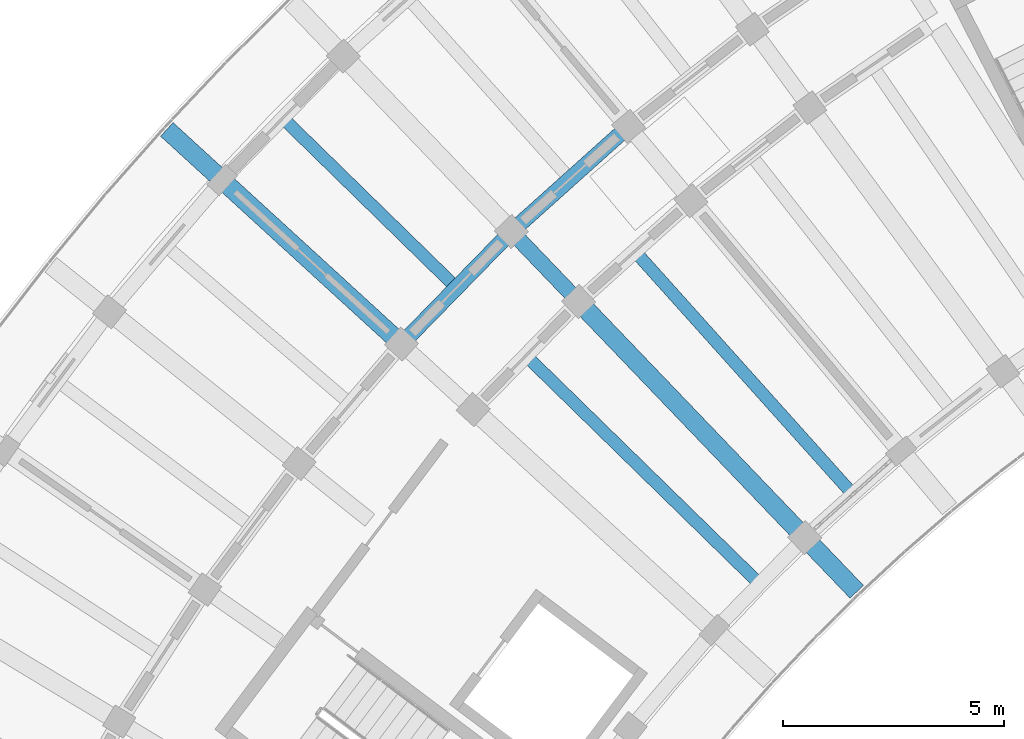
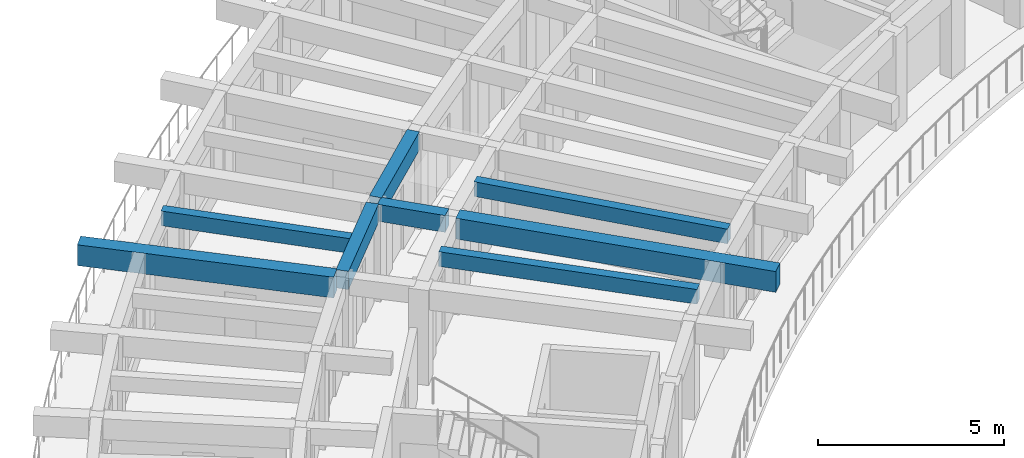
# One storey, part 8 of 69: 8 beams.
"""IFC4 building model written with IfcOpenShell, lengths in metres."""

from ifc_helpers import new_model, si_unit, direction, frame, origin, origin_2d, place, context, subcontext, project, spatial, rectangle, extrude, material, material_profile, profile_set, type_object, element, save


model = new_model("IFC4")

# Units and contexts
model_context = context("Model", 3, precision=1e-05, world=origin(), true_north=direction((0.0, 1.0)))
body_context = subcontext(model_context, "Body", "Model", "MODEL_VIEW")
ifc_project = project(units=[si_unit("LENGTHUNIT", "METRE"), si_unit("AREAUNIT", "SQUARE_METRE"), si_unit("VOLUMEUNIT", "CUBIC_METRE"), si_unit("PLANEANGLEUNIT", "RADIAN"), si_unit("MASSUNIT", "GRAM", prefix="KILO")], contexts=[model_context])

# Site, building, storey
site_placement = place(None, origin())
site = spatial("IfcSite", under=ifc_project, at=site_placement, CompositionType="ELEMENT")
building_placement = place(site_placement, origin())
building = spatial("IfcBuilding", under=site, at=building_placement, Name="Tanwirah Colonnade Gardens", CompositionType="ELEMENT")
storey_placement = place(building_placement, frame((0.0, 0.0, 15.56005859375)))
storey = spatial("IfcBuildingStorey", under=building, at=storey_placement, Name="L04", CompositionType="ELEMENT", Elevation=15.56005859375)

# Beams
ifc_material_1 = material(Name="Precast concrete C40/50", Category="concrete")
ifc_material_profile_1 = material_profile(ifc_material_1, rectangle(XDim=0.35009765625, YDim=0.550048828125, at=origin_2d()), Name="PC-BM 350x550")
ifc_profile_set_1 = profile_set([ifc_material_profile_1], Name="Precast concrete C40/50")
beam_type_1 = type_object("IfcBeamType", Name="BM-PC350A", PredefinedType="BEAM", material=ifc_profile_set_1)
beam_1_placement = place(storey_placement, frame((29.023193359375, 97.74560546875, 2.8349609375), z_axis=(-0.691913735329, 0.721980181766, 0.0), x_axis=(-0.721980181766, -0.691913735329, 0.0)))
element("IfcBeam", 1, at=beam_1_placement, inside=storey, type_object=beam_type_1, Name="Block A L04 Corridor Tie Beam 10", PredefinedType="BEAM", context=body_context, shape_type="SweptSolid", body=[
    extrude(rectangle(XDim=0.35009765625, YDim=0.550048828125, at=origin_2d()), origin(), (0.0, 0.0, 1.0), 1.900146484375),
])
ifc_material_profile_2 = material_profile(ifc_material_1, rectangle(XDim=0.35009765625, YDim=0.60009765625, at=origin_2d()), Name="PC-BM 350x600")
ifc_profile_set_2 = profile_set([ifc_material_profile_2], Name="Precast concrete C40/50")
beam_type_2 = type_object("IfcBeamType", Name="BM-PC350B", PredefinedType="BEAM", material=ifc_profile_set_2)
beam_2_placement = place(storey_placement, frame((30.145751953125, 101.504638671875, 2.81005859375), z_axis=(-0.744409136578, -0.667723773262, 0.0), x_axis=(0.667723773262, -0.744409136578, 0.0)))
element("IfcBeam", 2, at=beam_2_placement, inside=storey, type_object=beam_type_2, Name="Block A L04 Circumferential Beam 9-R2", PredefinedType="BEAM", context=body_context, shape_type="SweptSolid", body=[
    extrude(rectangle(XDim=0.35009765625, YDim=0.60009765625, at=origin_2d()), origin(), (0.0, 0.0, 1.0), 3.26318359375),
])
beam_3_placement = place(storey_placement, frame((27.5, 99.118408203125, 2.81005859375), z_axis=(-0.698829447339, -0.71528833594, 0.0), x_axis=(0.71528833594, -0.698829447339, 0.0)))
element("IfcBeam", 3, at=beam_3_placement, inside=storey, type_object=beam_type_2, Name="Block A L04 Circumferential Beam 10-R2", PredefinedType="BEAM", context=body_context, shape_type="SweptSolid", body=[
    extrude(rectangle(XDim=0.35009765625, YDim=0.60009765625, at=origin_2d()), origin(), (0.0, 0.0, 1.0), 3.263427734375),
])
ifc_material_2 = material(Name="Precast concrete C45/55", Category="concrete")
ifc_material_profile_3 = material_profile(ifc_material_2, rectangle(XDim=0.419921875, YDim=0.679931640625, at=origin_2d()), Name="PC-BM 420x680")
ifc_profile_set_3 = profile_set([ifc_material_profile_3], Name="Precast concrete C45/55")
beam_type_3 = type_object("IfcBeamType", Name="BM-PC420", PredefinedType="BEAM", material=ifc_profile_set_3)
beam_4_placement = place(storey_placement, frame((29.230712890625, 97.52880859375, 2.77001953125), z_axis=(0.691860926595, -0.722030787606, 0.0), x_axis=(0.722030787606, 0.691860926595, 0.0)))
element("IfcBeam", 4, at=beam_4_placement, inside=storey, type_object=beam_type_3, Name="Block A L04 Inner Radial Precast Girder 10", PredefinedType="BEAM", context=body_context, shape_type="SweptSolid", body=[
    extrude(rectangle(XDim=0.419921875, YDim=0.679931640625, at=origin_2d()), origin(), (0.0, 0.0, 1.0), 8.949951171875),
])
beam_5_placement = place(storey_placement, frame((25.004150390625, 96.7783203125, 2.77001953125), z_axis=(-0.737934199263, 0.674872667663, 0.0), x_axis=(-0.674872667663, -0.737934199263, 0.0)))
element("IfcBeam", 5, at=beam_5_placement, inside=storey, type_object=beam_type_3, Name="Block A L04 Outer Radial Precast Girder 11", PredefinedType="BEAM", context=body_context, shape_type="SweptSolid", body=[
    extrude(rectangle(XDim=0.419921875, YDim=0.679931640625, at=origin_2d()), origin(), (0.0, 0.0, 1.0), 7.050048828125),
])
ifc_material_profile_4 = material_profile(ifc_material_1, rectangle(XDim=0.280029296875, YDim=0.47998046875, at=origin_2d()), Name="PC-JST 280x480")
ifc_profile_set_4 = profile_set([ifc_material_profile_4], Name="Precast concrete C40/50")
beam_type_4 = type_object("IfcBeamType", Name="JST-PC280", PredefinedType="JOIST", material=ifc_profile_set_4)
beam_6_placement = place(storey_placement, frame((35.2412109375, 93.379638671875, 2.869873046875), z_axis=(-0.667688404274, 0.744440860511, 0.0), x_axis=(-0.744440860511, -0.667688404274, 0.0)))
element("IfcBeam", 6, at=beam_6_placement, inside=storey, type_object=beam_type_4, Name="Block A L04 Inner Precast Floor Joist 9", PredefinedType="JOIST", context=body_context, shape_type="SweptSolid", body=[
    extrude(rectangle(XDim=0.280029296875, YDim=0.47998046875, at=origin_2d()), origin(), (0.0, 0.0, 1.0), 7.16015625),
])
beam_7_placement = place(storey_placement, frame((26.2529296875, 98.0556640625, 2.869873046875), z_axis=(-0.715297399369, 0.698820170327, 0.0), x_axis=(-0.698820170327, -0.715297399369, 0.0)))
element("IfcBeam", 7, at=beam_7_placement, inside=storey, type_object=beam_type_4, Name="Block A L04 Precast Floor Joist 10", PredefinedType="JOIST", context=body_context, shape_type="SweptSolid", body=[
    extrude(rectangle(XDim=0.280029296875, YDim=0.47998046875, at=origin_2d()), origin(), (0.0, 0.0, 1.0), 5.260009765625),
])
beam_8_placement = place(storey_placement, frame((33.11962890625, 91.346923828125, 2.869873046875), z_axis=(-0.715276680509, 0.698841377081, 0.0), x_axis=(-0.698841377081, -0.715276680509, 0.0)))
element("IfcBeam", 8, at=beam_8_placement, inside=storey, type_object=beam_type_4, Name="Block A L04 Inner Precast Floor Joist 10", PredefinedType="JOIST", context=body_context, shape_type="SweptSolid", body=[
    extrude(rectangle(XDim=0.280029296875, YDim=0.47998046875, at=origin_2d()), origin(), (0.0, 0.0, 1.0), 7.159912109375),
])

save(model, "model.ifc")
